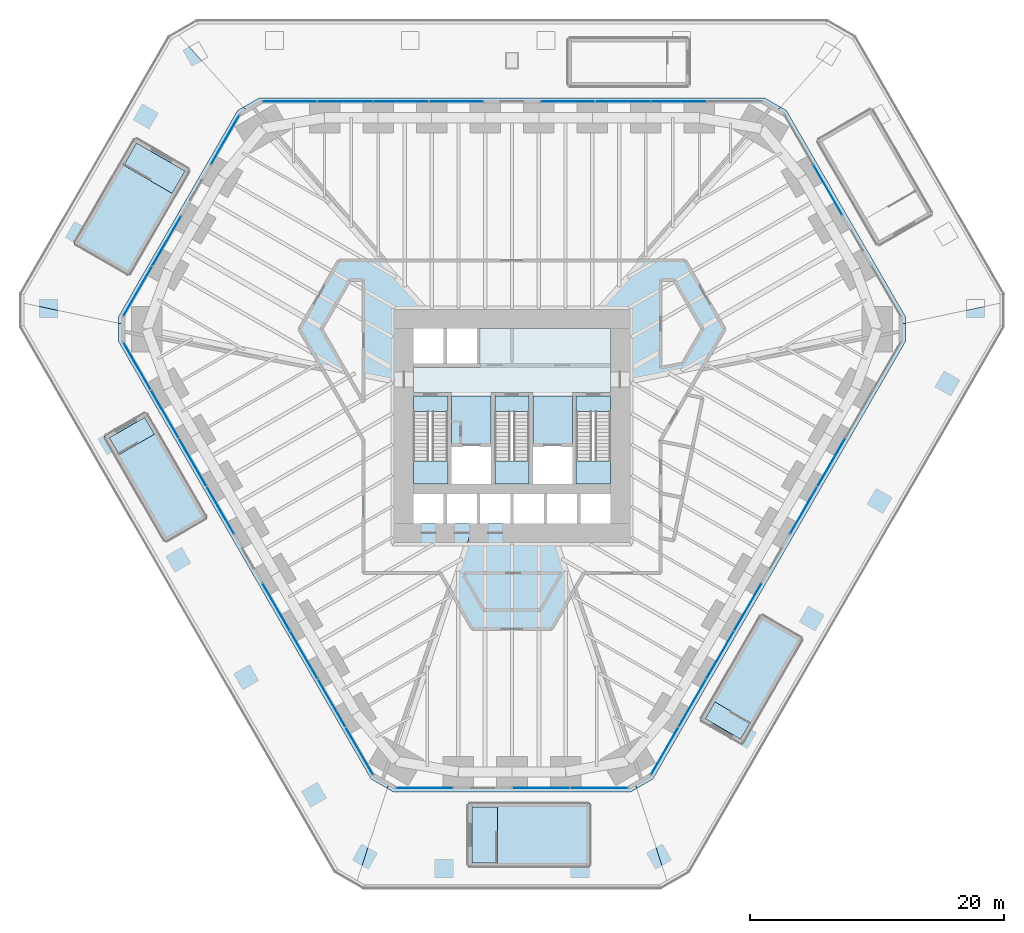
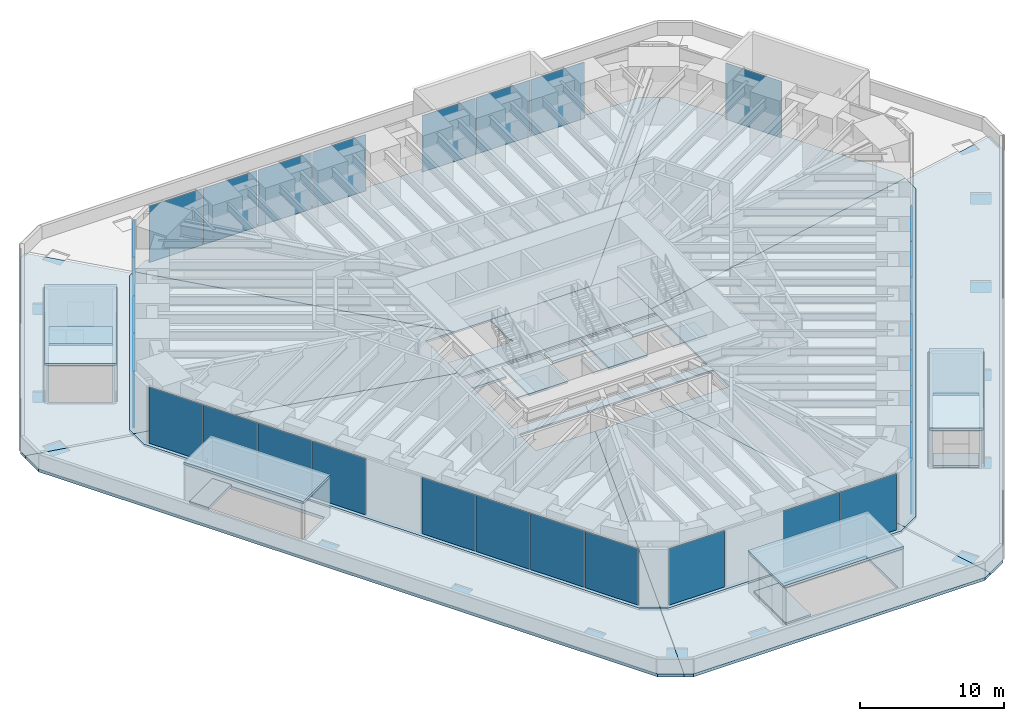
# One storey, part 9 of 20: 28 plates, 27 slabs, 14 elements without a shape of their own.
"""IFC4 building model written with IfcOpenShell, lengths in metres."""

from ifc_helpers import new_model, si_unit, direction, frame, origin, origin_2d, place, context, subcontext, project, spatial, polyline, rectangle, outline, extrude, material, layer, layer_set, type_object, element, aggregate, save


model = new_model("IFC4")

# Units and contexts
model_context = context("Model", 3, precision=1e-05, world=origin(), true_north=direction((0.0, 1.0)))
body_context = subcontext(model_context, "Body", "Model", "MODEL_VIEW")
ifc_project = project(units=[si_unit("LENGTHUNIT", "METRE"), si_unit("AREAUNIT", "SQUARE_METRE"), si_unit("VOLUMEUNIT", "CUBIC_METRE"), si_unit("PLANEANGLEUNIT", "RADIAN"), si_unit("MASSUNIT", "GRAM", prefix="KILO")], contexts=[model_context])

# Site, building, storey
site_placement = place(None, origin())
site = spatial("IfcSite", under=ifc_project, at=site_placement, CompositionType="ELEMENT")
building_placement = place(site_placement, origin())
building = spatial("IfcBuilding", under=site, at=building_placement, Name="Sandreach Pilgrim Tower", CompositionType="ELEMENT")
storey_placement = place(building_placement, frame((0.0, 0.0, 18.0)))
storey = spatial("IfcBuildingStorey", under=building, at=storey_placement, Name="L03", CompositionType="ELEMENT", Elevation=18.0)

# Curtain wall, plates
ifc_material_1 = material(Name="Aluminium framed curtain wall", Category="aluminium")
curtain_wall_type = type_object("IfcCurtainWallType", Name="Podium storefront curtain wall", PredefinedType="NOTDEFINED", material=ifc_material_1)
curtain_wall_1_placement = place(storey_placement, origin())
curtain_wall_1 = element("IfcCurtainWall", 1, at=curtain_wall_1_placement, inside=storey, type_object=curtain_wall_type, Name="CW-P L03 NA", PredefinedType="NOTDEFINED")
ifc_material_2 = material(Name="Laminated safety insulating glass unit 10.76 laminated + 16 argon + 10.76 laminated", Category="glass")
ifc_layer_1 = layer(ifc_material_2, 0.0380859375)
ifc_layer_set_1 = layer_set([ifc_layer_1], Name="CW-P panel")
plate_type = type_object("IfcPlateType", Name="CW-P panel", PredefinedType="CURTAIN_PANEL", material=ifc_layer_set_1)
plate_1_placement = place(storey_placement, frame((-17.46875, 23.94873046875, 0.0), z_axis=(0.0, 0.0, 1.0), x_axis=(1.0, 0.0, 0.0)))
plate_1 = element("IfcPlate", 2, at=plate_1_placement, type_object=plate_type, Name="CW-P panel 1", PredefinedType="CURTAIN_PANEL", context=body_context, shape_type="SweptSolid", body=[
    extrude(rectangle(XDim=4.2666015625, YDim=0.0380859375, at=origin_2d()), origin(), (0.0, 0.0, 1.0), 4.77001953125),
])
plate_2_placement = place(storey_placement, frame((-13.11474609375, 23.94873046875, 0.0), z_axis=(0.0, 0.0, 1.0), x_axis=(1.0, 0.0, 0.0)))
plate_2 = element("IfcPlate", 3, at=plate_2_placement, type_object=plate_type, Name="CW-P panel 2", PredefinedType="CURTAIN_PANEL", context=body_context, shape_type="SweptSolid", body=[
    extrude(rectangle(XDim=4.301513671875, YDim=0.0380859375, at=origin_2d()), origin(), (0.0, 0.0, 1.0), 4.77001953125),
])
plate_3_placement = place(storey_placement, frame((-8.7431640625, 23.94873046875, 0.0), z_axis=(0.0, 0.0, 1.0), x_axis=(1.0, 0.0, 0.0)))
plate_3 = element("IfcPlate", 4, at=plate_3_placement, type_object=plate_type, Name="CW-P panel 3", PredefinedType="CURTAIN_PANEL", context=body_context, shape_type="SweptSolid", body=[
    extrude(rectangle(XDim=4.301513671875, YDim=0.0380859375, at=origin_2d()), origin(), (0.0, 0.0, 1.0), 4.77001953125),
])
plate_4_placement = place(storey_placement, frame((-4.38916015625, 23.94873046875, 0.0), z_axis=(0.0, 0.0, 1.0), x_axis=(1.0, 0.0, 0.0)))
plate_4 = element("IfcPlate", 5, at=plate_4_placement, type_object=plate_type, Name="CW-P panel 4", PredefinedType="CURTAIN_PANEL", context=body_context, shape_type="SweptSolid", body=[
    extrude(rectangle(XDim=4.2666015625, YDim=0.0380859375, at=origin_2d()), origin(), (0.0, 0.0, 1.0), 4.77001953125),
])
aggregate(curtain_wall_1, [plate_1, plate_2, plate_3, plate_4])

curtain_wall_2_placement = place(storey_placement, origin())
curtain_wall_2 = element("IfcCurtainWall", 6, at=curtain_wall_2_placement, inside=storey, type_object=curtain_wall_type, Name="CW-P L03 NB", PredefinedType="NOTDEFINED")
plate_5_placement = place(storey_placement, frame((4.38916015625, 23.94873046875, 0.0), z_axis=(0.0, 0.0, 1.0), x_axis=(1.0, 0.0, 0.0)))
plate_5 = element("IfcPlate", 7, at=plate_5_placement, type_object=plate_type, Name="CW-P panel 1", PredefinedType="CURTAIN_PANEL", context=body_context, shape_type="SweptSolid", body=[
    extrude(rectangle(XDim=4.2666015625, YDim=0.0380859375, at=origin_2d()), origin(), (0.0, 0.0, 1.0), 4.77001953125),
])
plate_6_placement = place(storey_placement, frame((8.7431640625, 23.94873046875, 0.0), z_axis=(0.0, 0.0, 1.0), x_axis=(1.0, 0.0, 0.0)))
plate_6 = element("IfcPlate", 8, at=plate_6_placement, type_object=plate_type, Name="CW-P panel 2", PredefinedType="CURTAIN_PANEL", context=body_context, shape_type="SweptSolid", body=[
    extrude(rectangle(XDim=4.301513671875, YDim=0.0380859375, at=origin_2d()), origin(), (0.0, 0.0, 1.0), 4.77001953125),
])
plate_7_placement = place(storey_placement, frame((13.11474609375, 23.94873046875, 0.0), z_axis=(0.0, 0.0, 1.0), x_axis=(1.0, 0.0, 0.0)))
plate_7 = element("IfcPlate", 9, at=plate_7_placement, type_object=plate_type, Name="CW-P panel 3", PredefinedType="CURTAIN_PANEL", context=body_context, shape_type="SweptSolid", body=[
    extrude(rectangle(XDim=4.301513671875, YDim=0.0380859375, at=origin_2d()), origin(), (0.0, 0.0, 1.0), 4.77001953125),
])
aggregate(curtain_wall_2, [plate_5, plate_6, plate_7])

# Curtain wall, plate
curtain_wall_3_placement = place(storey_placement, origin())
curtain_wall_3 = element("IfcCurtainWall", 10, at=curtain_wall_3_placement, inside=storey, type_object=curtain_wall_type, Name="CW-P L03 NEA", PredefinedType="NOTDEFINED")
plate_8_placement = place(storey_placement, frame((24.8349609375, 17.00634765625, 0.0), z_axis=(0.0, 0.0, 1.0), x_axis=(0.5, -0.866025403784, 0.0)))
plate_8 = element("IfcPlate", 11, at=plate_8_placement, type_object=plate_type, Name="CW-P panel 2", PredefinedType="CURTAIN_PANEL", context=body_context, shape_type="SweptSolid", body=[
    extrude(rectangle(XDim=4.48095703125, YDim=0.0380859375, at=origin_2d()), origin(), (0.0, 0.0, 1.0), 4.77001953125),
])
aggregate(curtain_wall_3, [plate_8])

# Curtain wall, plates
curtain_wall_4_placement = place(storey_placement, origin())
curtain_wall_4 = element("IfcCurtainWall", 12, at=curtain_wall_4_placement, inside=storey, type_object=curtain_wall_type, Name="CW-P L03 SEA", PredefinedType="NOTDEFINED")
plate_9_placement = place(storey_placement, frame((25.11181640625, -4.402587890625, 0.0), z_axis=(0.0, 0.0, 1.0), x_axis=(-0.5, -0.866025403784, 0.0)))
plate_9 = element("IfcPlate", 13, at=plate_9_placement, type_object=plate_type, Name="CW-P panel 3", PredefinedType="CURTAIN_PANEL", context=body_context, shape_type="SweptSolid", body=[
    extrude(rectangle(XDim=4.301513671875, YDim=0.0380859375, at=origin_2d()), origin(), (0.0, 0.0, 1.0), 4.77001953125),
])
plate_10_placement = place(storey_placement, frame((22.934814453125, -8.17333984375, 0.0), z_axis=(0.0, 0.0, 1.0), x_axis=(-0.5, -0.866025403784, 0.0)))
plate_10 = element("IfcPlate", 14, at=plate_10_placement, type_object=plate_type, Name="CW-P panel 4", PredefinedType="CURTAIN_PANEL", context=body_context, shape_type="SweptSolid", body=[
    extrude(rectangle(XDim=4.2666015625, YDim=0.0380859375, at=origin_2d()), origin(), (0.0, 0.0, 1.0), 4.77001953125),
])
aggregate(curtain_wall_4, [plate_9, plate_10])

curtain_wall_5_placement = place(storey_placement, origin())
curtain_wall_5 = element("IfcCurtainWall", 15, at=curtain_wall_5_placement, inside=storey, type_object=curtain_wall_type, Name="CW-P L03 SEB", PredefinedType="NOTDEFINED")
plate_11_placement = place(storey_placement, frame((18.545654296875, -15.775390625, 0.0), z_axis=(0.0, 0.0, 1.0), x_axis=(-0.5, -0.866025403784, 0.0)))
plate_11 = element("IfcPlate", 16, at=plate_11_placement, type_object=plate_type, Name="CW-P panel 1", PredefinedType="CURTAIN_PANEL", context=body_context, shape_type="SweptSolid", body=[
    extrude(rectangle(XDim=4.2666015625, YDim=0.0380859375, at=origin_2d()), origin(), (0.0, 0.0, 1.0), 4.77001953125),
])
plate_12_placement = place(storey_placement, frame((16.36865234375, -19.546142578125, 0.0), z_axis=(0.0, 0.0, 1.0), x_axis=(-0.5, -0.866025403784, 0.0)))
plate_12 = element("IfcPlate", 17, at=plate_12_placement, type_object=plate_type, Name="CW-P panel 2", PredefinedType="CURTAIN_PANEL", context=body_context, shape_type="SweptSolid", body=[
    extrude(rectangle(XDim=4.301513671875, YDim=0.0380859375, at=origin_2d()), origin(), (0.0, 0.0, 1.0), 4.77001953125),
])
plate_13_placement = place(storey_placement, frame((14.182861328125, -23.33203125, 0.0), z_axis=(0.0, 0.0, 1.0), x_axis=(-0.5, -0.866025403784, 0.0)))
plate_13 = element("IfcPlate", 18, at=plate_13_placement, type_object=plate_type, Name="CW-P panel 3", PredefinedType="CURTAIN_PANEL", context=body_context, shape_type="SweptSolid", body=[
    extrude(rectangle(XDim=4.301513671875, YDim=0.0380859375, at=origin_2d()), origin(), (0.0, 0.0, 1.0), 4.77001953125),
])
plate_14_placement = place(storey_placement, frame((12.005859375, -27.102783203125, 0.0), z_axis=(0.0, 0.0, 1.0), x_axis=(-0.5, -0.866025403784, 0.0)))
plate_14 = element("IfcPlate", 19, at=plate_14_placement, type_object=plate_type, Name="CW-P panel 4", PredefinedType="CURTAIN_PANEL", context=body_context, shape_type="SweptSolid", body=[
    extrude(rectangle(XDim=4.2666015625, YDim=0.0380859375, at=origin_2d()), origin(), (0.0, 0.0, 1.0), 4.77001953125),
])
aggregate(curtain_wall_5, [plate_11, plate_12, plate_13, plate_14])

curtain_wall_6_placement = place(storey_placement, origin())
curtain_wall_6 = element("IfcCurtainWall", 20, at=curtain_wall_6_placement, inside=storey, type_object=curtain_wall_type, Name="CW-P L03 SA", PredefinedType="NOTDEFINED")
plate_15_placement = place(storey_placement, frame((6.861572265625, -30.010986328125, 0.0), z_axis=(0.0, 0.0, 1.0), x_axis=(-1.0, 0.0, 0.0)))
plate_15 = element("IfcPlate", 21, at=plate_15_placement, type_object=plate_type, Name="CW-P panel 1", PredefinedType="CURTAIN_PANEL", context=body_context, shape_type="SweptSolid", body=[
    extrude(rectangle(XDim=4.48095703125, YDim=0.0380859375, at=origin_2d()), origin(), (0.0, 0.0, 1.0), 4.77001953125),
])
plate_16_placement = place(storey_placement, frame((2.310546875, -30.010986328125, 0.0), z_axis=(0.0, 0.0, 1.0), x_axis=(-1.0, 0.0, 0.0)))
plate_16 = element("IfcPlate", 22, at=plate_16_placement, type_object=plate_type, Name="CW-P panel 2", PredefinedType="CURTAIN_PANEL", context=body_context, shape_type="SweptSolid", body=[
    extrude(rectangle(XDim=4.48095703125, YDim=0.0380859375, at=origin_2d()), origin(), (0.0, 0.0, 1.0), 4.77001953125),
])
aggregate(curtain_wall_6, [plate_15, plate_16])

# Curtain wall, plate
curtain_wall_7_placement = place(storey_placement, origin())
curtain_wall_7 = element("IfcCurtainWall", 23, at=curtain_wall_7_placement, inside=storey, type_object=curtain_wall_type, Name="CW-P L03 SB", PredefinedType="NOTDEFINED")
plate_17_placement = place(storey_placement, frame((-6.879150390625, -30.010986328125, 0.0), z_axis=(0.0, 0.0, 1.0), x_axis=(-1.0, 0.0, 0.0)))
plate_17 = element("IfcPlate", 24, at=plate_17_placement, type_object=plate_type, Name="CW-P panel 1", PredefinedType="CURTAIN_PANEL", context=body_context, shape_type="SweptSolid", body=[
    extrude(rectangle(XDim=4.446044921875, YDim=0.0380859375, at=origin_2d()), origin(), (0.0, 0.0, 1.0), 4.77001953125),
])
aggregate(curtain_wall_7, [plate_17])

# Curtain wall, plates
curtain_wall_8_placement = place(storey_placement, origin())
curtain_wall_8 = element("IfcCurtainWall", 25, at=curtain_wall_8_placement, inside=storey, type_object=curtain_wall_type, Name="CW-P L03 SWA", PredefinedType="NOTDEFINED")
plate_18_placement = place(storey_placement, frame((-12.005859375, -27.102783203125, 0.0), z_axis=(0.0, 0.0, 1.0), x_axis=(-0.5, 0.866025403784, 0.0)))
plate_18 = element("IfcPlate", 26, at=plate_18_placement, type_object=plate_type, Name="CW-P panel 1", PredefinedType="CURTAIN_PANEL", context=body_context, shape_type="SweptSolid", body=[
    extrude(rectangle(XDim=4.2666015625, YDim=0.0380859375, at=origin_2d()), origin(), (0.0, 0.0, 1.0), 4.77001953125),
])
plate_19_placement = place(storey_placement, frame((-14.182861328125, -23.33203125, 0.0), z_axis=(0.0, 0.0, 1.0), x_axis=(-0.5, 0.866025403784, 0.0)))
plate_19 = element("IfcPlate", 27, at=plate_19_placement, type_object=plate_type, Name="CW-P panel 2", PredefinedType="CURTAIN_PANEL", context=body_context, shape_type="SweptSolid", body=[
    extrude(rectangle(XDim=4.301513671875, YDim=0.0380859375, at=origin_2d()), origin(), (0.0, 0.0, 1.0), 4.77001953125),
])
plate_20_placement = place(storey_placement, frame((-16.36865234375, -19.546142578125, 0.0), z_axis=(0.0, 0.0, 1.0), x_axis=(-0.5, 0.866025403784, 0.0)))
plate_20 = element("IfcPlate", 28, at=plate_20_placement, type_object=plate_type, Name="CW-P panel 3", PredefinedType="CURTAIN_PANEL", context=body_context, shape_type="SweptSolid", body=[
    extrude(rectangle(XDim=4.301513671875, YDim=0.0380859375, at=origin_2d()), origin(), (0.0, 0.0, 1.0), 4.77001953125),
])
plate_21_placement = place(storey_placement, frame((-18.545654296875, -15.775390625, 0.0), z_axis=(0.0, 0.0, 1.0), x_axis=(-0.5, 0.866025403784, 0.0)))
plate_21 = element("IfcPlate", 29, at=plate_21_placement, type_object=plate_type, Name="CW-P panel 4", PredefinedType="CURTAIN_PANEL", context=body_context, shape_type="SweptSolid", body=[
    extrude(rectangle(XDim=4.2666015625, YDim=0.0380859375, at=origin_2d()), origin(), (0.0, 0.0, 1.0), 4.77001953125),
])
aggregate(curtain_wall_8, [plate_18, plate_19, plate_20, plate_21])

curtain_wall_9_placement = place(storey_placement, origin())
curtain_wall_9 = element("IfcCurtainWall", 30, at=curtain_wall_9_placement, inside=storey, type_object=curtain_wall_type, Name="CW-P L03 SWB", PredefinedType="NOTDEFINED")
plate_22_placement = place(storey_placement, frame((-22.934814453125, -8.17333984375, 0.0), z_axis=(0.0, 0.0, 1.0), x_axis=(-0.5, 0.866025403784, 0.0)))
plate_22 = element("IfcPlate", 31, at=plate_22_placement, type_object=plate_type, Name="CW-P panel 1", PredefinedType="CURTAIN_PANEL", context=body_context, shape_type="SweptSolid", body=[
    extrude(rectangle(XDim=4.2666015625, YDim=0.0380859375, at=origin_2d()), origin(), (0.0, 0.0, 1.0), 4.77001953125),
])
plate_23_placement = place(storey_placement, frame((-25.11181640625, -4.402587890625, 0.0), z_axis=(0.0, 0.0, 1.0), x_axis=(-0.5, 0.866025403784, 0.0)))
plate_23 = element("IfcPlate", 32, at=plate_23_placement, type_object=plate_type, Name="CW-P panel 2", PredefinedType="CURTAIN_PANEL", context=body_context, shape_type="SweptSolid", body=[
    extrude(rectangle(XDim=4.301513671875, YDim=0.0380859375, at=origin_2d()), origin(), (0.0, 0.0, 1.0), 4.77001953125),
])
plate_24_placement = place(storey_placement, frame((-27.297607421875, -0.61669921875, 0.0), z_axis=(0.0, 0.0, 1.0), x_axis=(-0.5, 0.866025403784, 0.0)))
plate_24 = element("IfcPlate", 33, at=plate_24_placement, type_object=plate_type, Name="CW-P panel 3", PredefinedType="CURTAIN_PANEL", context=body_context, shape_type="SweptSolid", body=[
    extrude(rectangle(XDim=4.301513671875, YDim=0.0380859375, at=origin_2d()), origin(), (0.0, 0.0, 1.0), 4.77001953125),
])
plate_25_placement = place(storey_placement, frame((-29.474609375, 3.154052734375, 0.0), z_axis=(0.0, 0.0, 1.0), x_axis=(-0.5, 0.866025403784, 0.0)))
plate_25 = element("IfcPlate", 34, at=plate_25_placement, type_object=plate_type, Name="CW-P panel 4", PredefinedType="CURTAIN_PANEL", context=body_context, shape_type="SweptSolid", body=[
    extrude(rectangle(XDim=4.2666015625, YDim=0.0380859375, at=origin_2d()), origin(), (0.0, 0.0, 1.0), 4.77001953125),
])
aggregate(curtain_wall_9, [plate_22, plate_23, plate_24, plate_25])

curtain_wall_10_placement = place(storey_placement, origin())
curtain_wall_10 = element("IfcCurtainWall", 35, at=curtain_wall_10_placement, inside=storey, type_object=curtain_wall_type, Name="CW-P L03 NWA", PredefinedType="NOTDEFINED")
plate_26_placement = place(storey_placement, frame((-29.4208984375, 9.063232421875, 0.0), z_axis=(0.0, 0.0, 1.0), x_axis=(0.5, 0.866025403784, 0.0)))
plate_26 = element("IfcPlate", 36, at=plate_26_placement, type_object=plate_type, Name="CW-P panel 1", PredefinedType="CURTAIN_PANEL", context=body_context, shape_type="SweptSolid", body=[
    extrude(rectangle(XDim=4.48095703125, YDim=0.0380859375, at=origin_2d()), origin(), (0.0, 0.0, 1.0), 4.77001953125),
])
plate_27_placement = place(storey_placement, frame((-27.1455078125, 13.00439453125, 0.0), z_axis=(0.0, 0.0, 1.0), x_axis=(0.5, 0.866025403784, 0.0)))
plate_27 = element("IfcPlate", 37, at=plate_27_placement, type_object=plate_type, Name="CW-P panel 2", PredefinedType="CURTAIN_PANEL", context=body_context, shape_type="SweptSolid", body=[
    extrude(rectangle(XDim=4.48095703125, YDim=0.0380859375, at=origin_2d()), origin(), (0.0, 0.0, 1.0), 4.77001953125),
])
aggregate(curtain_wall_10, [plate_26, plate_27])

# Curtain wall, plate
curtain_wall_11_placement = place(storey_placement, origin())
curtain_wall_11 = element("IfcCurtainWall", 38, at=curtain_wall_11_placement, inside=storey, type_object=curtain_wall_type, Name="CW-P L03 NWB", PredefinedType="NOTDEFINED")
plate_28_placement = place(storey_placement, frame((-22.550537109375, 20.962890625, 0.0), z_axis=(0.0, 0.0, 1.0), x_axis=(0.5, 0.866025403784, 0.0)))
plate_28 = element("IfcPlate", 39, at=plate_28_placement, type_object=plate_type, Name="CW-P panel 1", PredefinedType="CURTAIN_PANEL", context=body_context, shape_type="SweptSolid", body=[
    extrude(rectangle(XDim=4.446044921875, YDim=0.0380859375, at=origin_2d()), origin(), (0.0, 0.0, 1.0), 4.77001953125),
])
aggregate(curtain_wall_11, [plate_28])

# Slabs
ifc_material_3 = material(Name="Concrete 8000 psi", Category="concrete")
ifc_layer_2 = layer(ifc_material_3, 0.159912109375)
ifc_layer_set_2 = layer_set([ifc_layer_2], Name="Composite floor slab 160")
slab_type_1 = type_object("IfcSlabType", Name="Composite floor slab 160", PredefinedType="FLOOR", material=ifc_layer_set_2)
slab_1_placement = place(storey_placement, frame((0.0, 0.0, -0.159912109375)))
element("IfcSlab", 40, at=slab_1_placement, inside=storey, type_object=slab_type_1, Name="Floor slab L03 N sector", PredefinedType="FLOOR", context=body_context, shape_type="SweptSolid", body=[
    extrude(outline(polyline([(-19.84521484375, 24.248779296875), (19.84521484375, 24.248779296875), (21.115478515625, 23.515380859375), (5.477294921875, 6.10009765625), (-5.477294921875, 6.10009765625), (-21.115478515625, 23.515380859375), (-19.84521484375, 24.248779296875)])), origin(), (0.0, 0.0, 1.0), 0.159912109375),
])
slab_2_placement = place(storey_placement, frame((0.0, 0.0, -0.159912109375)))
element("IfcSlab", 41, at=slab_2_placement, inside=storey, type_object=slab_type_1, Name="Floor slab L03 NE sector", PredefinedType="FLOOR", context=body_context, shape_type="SweptSolid", body=[
    extrude(outline(polyline([(21.577392578125, 23.248779296875), (30.922607421875, 7.062255859375), (30.922607421875, 6.52880859375), (7.75, 1.63623046875), (7.75, 6.10009765625), (5.477294921875, 6.10009765625), (21.115478515625, 23.515380859375), (21.577392578125, 23.248779296875)])), origin(), (0.0, 0.0, 1.0), 0.159912109375),
])
slab_3_placement = place(storey_placement, frame((0.0, 0.0, -0.159912109375)))
element("IfcSlab", 42, at=slab_3_placement, inside=storey, type_object=slab_type_1, Name="Floor slab L03 SE sector", PredefinedType="FLOOR", context=body_context, shape_type="SweptSolid", body=[
    extrude(outline(polyline([(11.077392578125, -29.310791015625), (9.80712890625, -30.044189453125), (3.003173828125, -9.199951171875), (7.75, -9.199951171875), (7.75, -6.89990234375), (-2.252197265625, -6.89990234375), (-1.9912109375, -6.10009765625), (7.75, -6.10009765625), (7.75, 1.63623046875), (30.922607421875, 6.52880859375), (30.922607421875, 5.062255859375), (11.077392578125, -29.310791015625)])), origin(), (0.0, 0.0, 1.0), 0.159912109375),
])
slab_4_placement = place(storey_placement, frame((0.0, 0.0, -0.159912109375)))
element("IfcSlab", 43, at=slab_4_placement, inside=storey, type_object=slab_type_1, Name="Floor slab L03 S sector", PredefinedType="FLOOR", context=body_context, shape_type="SweptSolid", body=[
    extrude(outline(polyline([(9.34521484375, -30.310791015625), (-9.34521484375, -30.310791015625), (-9.80712890625, -30.044189453125), (-3.003173828125, -9.199951171875), (3.003173828125, -9.199951171875), (9.80712890625, -30.044189453125), (9.34521484375, -30.310791015625)])), origin(), (0.0, 0.0, 1.0), 0.159912109375),
])
slab_5_placement = place(storey_placement, frame((0.0, 0.0, -0.159912109375)))
element("IfcSlab", 44, at=slab_5_placement, inside=storey, type_object=slab_type_1, Name="Floor slab L03 SW sector", PredefinedType="FLOOR", context=body_context, shape_type="SweptSolid", body=[
    extrude(outline(polyline([(-11.077392578125, -29.310791015625), (-30.922607421875, 5.062255859375), (-30.922607421875, 6.52880859375), (-7.75, 1.63623046875), (-7.75, -6.10009765625), (-1.9912109375, -6.10009765625), (-2.252197265625, -6.89990234375), (-7.75, -6.89990234375), (-7.75, -9.199951171875), (-3.003173828125, -9.199951171875), (-9.80712890625, -30.044189453125), (-11.077392578125, -29.310791015625)])), origin(), (0.0, 0.0, 1.0), 0.159912109375),
])
slab_6_placement = place(storey_placement, frame((0.0, 0.0, -0.159912109375)))
element("IfcSlab", 45, at=slab_6_placement, inside=storey, type_object=slab_type_1, Name="Floor slab L03 NW sector", PredefinedType="FLOOR", context=body_context, shape_type="SweptSolid", body=[
    extrude(outline(polyline([(-30.922607421875, 7.062255859375), (-21.577392578125, 23.248779296875), (-21.115478515625, 23.515380859375), (-5.477294921875, 6.10009765625), (-7.75, 6.10009765625), (-7.75, 1.63623046875), (-30.922607421875, 6.52880859375), (-30.922607421875, 7.062255859375)])), origin(), (0.0, 0.0, 1.0), 0.159912109375),
])
slab_7_placement = place(storey_placement, frame((0.0, 0.0, -0.159912109375)))
element("IfcSlab", 46, at=slab_7_placement, inside=storey, type_object=slab_type_1, Name="Core floor slab and stores L03", PredefinedType="FLOOR", context=body_context, shape_type="SweptSolid", body=[
    extrude(outline(polyline([(-7.75, 3.050048828125), (-5.375, 3.050048828125), (-5.125, 3.050048828125), (-2.5, 3.050048828125), (-2.5, 3.35009765625), (-2.60009765625, 3.35009765625), (-2.60009765625, 6.10009765625), (7.75, 6.10009765625), (7.75, 1.10009765625), (5.050048828125, 1.10009765625), (4.75, 1.10009765625), (1.64990234375, 1.10009765625), (1.35009765625, 1.10009765625), (-1.35009765625, 1.10009765625), (-1.64990234375, 1.10009765625), (-4.75, 1.10009765625), (-5.050048828125, 1.10009765625), (-7.75, 1.10009765625), (-7.75, 3.050048828125)])), origin(), (0.0, 0.0, 1.0), 0.159912109375),
])
slab_8_placement = place(storey_placement, frame((0.0, 0.0, -0.159912109375)))
element("IfcSlab", 47, at=slab_8_placement, inside=storey, type_object=slab_type_1, Name="Core floor slab and stores L03 2", PredefinedType="FLOOR", context=body_context, shape_type="SweptSolid", body=[
    extrude(outline(polyline([(-1.64990234375, -3.050048828125), (-4.75, -3.050048828125), (-4.75, 0.800048828125), (-1.64990234375, 0.800048828125), (-1.64990234375, -3.050048828125)])), origin(), (0.0, 0.0, 1.0), 0.159912109375),
])
slab_9_placement = place(storey_placement, frame((0.0, 0.0, -0.159912109375)))
element("IfcSlab", 48, at=slab_9_placement, inside=storey, type_object=slab_type_1, Name="Core floor slab and stores L03 3", PredefinedType="FLOOR", context=body_context, shape_type="SweptSolid", body=[
    extrude(outline(polyline([(4.75, -3.050048828125), (1.64990234375, -3.050048828125), (1.64990234375, 0.800048828125), (4.75, 0.800048828125), (4.75, -3.050048828125)])), origin(), (0.0, 0.0, 1.0), 0.159912109375),
])

# Stair, slabs
ifc_material_4 = material(Name="Concrete 8000 psi", Category="concrete")
stair_type = type_object("IfcStairType", Name="Core exit stair", PredefinedType="HALF_TURN_STAIR", material=ifc_material_4)
stair_1_placement = place(storey_placement, origin())
stair_1 = element("IfcStair", 49, at=stair_1_placement, inside=storey, type_object=stair_type, Name="Exit stair ST1 L03", PredefinedType="HALF_TURN_STAIR")
ifc_material_5 = material(Name="Concrete 8000 psi", Category="concrete")
ifc_layer_3 = layer(ifc_material_5, 0.199951171875)
ifc_layer_set_3 = layer_set([ifc_layer_3], Name="Core stair landing 200")
slab_type_2 = type_object("IfcSlabType", Name="Core stair landing 200", PredefinedType="LANDING", material=ifc_layer_set_3)
slab_10_placement = place(storey_placement, frame((0.0, 0.0, -0.199951171875)))
slab_10 = element("IfcSlab", 50, at=slab_10_placement, type_object=slab_type_2, Name="ST1 landing 1", PredefinedType="LANDING", context=body_context, shape_type="SweptSolid", body=[
    extrude(outline(polyline([(-7.75, -0.425048828125), (-5.050048828125, -0.425048828125), (-5.050048828125, 0.800048828125), (-7.75, 0.800048828125), (-7.75, -0.425048828125)])), origin(), (0.0, 0.0, 1.0), 0.199951171875),
])
slab_11_placement = place(storey_placement, frame((0.0, 0.0, 2.300048828125)))
slab_11 = element("IfcSlab", 51, at=slab_11_placement, type_object=slab_type_2, Name="ST1 landing 2", PredefinedType="LANDING", context=body_context, shape_type="SweptSolid", body=[
    extrude(outline(polyline([(-7.75, -6.10009765625), (-5.050048828125, -6.10009765625), (-5.050048828125, -4.294921875), (-7.75, -4.294921875), (-7.75, -6.10009765625)])), origin(), (0.0, 0.0, 1.0), 0.199951171875),
])
aggregate(stair_1, [slab_10, slab_11])

stair_2_placement = place(storey_placement, origin())
stair_2 = element("IfcStair", 52, at=stair_2_placement, inside=storey, type_object=stair_type, Name="Exit stair ST3 L03", PredefinedType="HALF_TURN_STAIR")
slab_12_placement = place(storey_placement, frame((0.0, 0.0, -0.199951171875)))
slab_12 = element("IfcSlab", 53, at=slab_12_placement, type_object=slab_type_2, Name="ST3 landing 1", PredefinedType="LANDING", context=body_context, shape_type="SweptSolid", body=[
    extrude(outline(polyline([(-1.35009765625, -0.425048828125), (1.35009765625, -0.425048828125), (1.35009765625, 0.800048828125), (-1.35009765625, 0.800048828125), (-1.35009765625, -0.425048828125)])), origin(), (0.0, 0.0, 1.0), 0.199951171875),
])
slab_13_placement = place(storey_placement, frame((0.0, 0.0, 2.300048828125)))
slab_13 = element("IfcSlab", 54, at=slab_13_placement, type_object=slab_type_2, Name="ST3 landing 2", PredefinedType="LANDING", context=body_context, shape_type="SweptSolid", body=[
    extrude(outline(polyline([(-1.35009765625, -6.10009765625), (1.35009765625, -6.10009765625), (1.35009765625, -4.294921875), (-1.35009765625, -4.294921875), (-1.35009765625, -6.10009765625)])), origin(), (0.0, 0.0, 1.0), 0.199951171875),
])
aggregate(stair_2, [slab_12, slab_13])

stair_3_placement = place(storey_placement, origin())
stair_3 = element("IfcStair", 55, at=stair_3_placement, inside=storey, type_object=stair_type, Name="Exit stair ST2 L03", PredefinedType="HALF_TURN_STAIR")
slab_14_placement = place(storey_placement, frame((0.0, 0.0, -0.199951171875)))
slab_14 = element("IfcSlab", 56, at=slab_14_placement, type_object=slab_type_2, Name="ST2 landing 1", PredefinedType="LANDING", context=body_context, shape_type="SweptSolid", body=[
    extrude(outline(polyline([(5.050048828125, -0.425048828125), (7.75, -0.425048828125), (7.75, 0.800048828125), (5.050048828125, 0.800048828125), (5.050048828125, -0.425048828125)])), origin(), (0.0, 0.0, 1.0), 0.199951171875),
])
slab_15_placement = place(storey_placement, frame((0.0, 0.0, 2.300048828125)))
slab_15 = element("IfcSlab", 57, at=slab_15_placement, type_object=slab_type_2, Name="ST2 landing 2", PredefinedType="LANDING", context=body_context, shape_type="SweptSolid", body=[
    extrude(outline(polyline([(5.050048828125, -6.10009765625), (7.75, -6.10009765625), (7.75, -4.294921875), (5.050048828125, -4.294921875), (5.050048828125, -6.10009765625)])), origin(), (0.0, 0.0, 1.0), 0.199951171875),
])
aggregate(stair_3, [slab_14, slab_15])

# Slabs
ifc_material_6 = material(Name="Concrete 8000 psi", Category="concrete")
ifc_layer_4 = layer(ifc_material_6, 0.25)
ifc_layer_set_4 = layer_set([ifc_layer_4], Name="Podium planted roof slab 250")
slab_type_3 = type_object("IfcSlabType", Name="Podium planted roof slab 250", PredefinedType="ROOF", material=ifc_layer_set_4)
slab_16_placement = place(storey_placement, frame((0.0, 0.0, -0.39990234375)))
element("IfcSlab", 58, at=slab_16_placement, inside=storey, type_object=slab_type_3, Name="Podium planted roof L03 SE sector", PredefinedType="ROOF", context=body_context, shape_type="SweptSolid", body=[
    extrude(outline(polyline([(13.8466796875, -36.638671875), (12.259033203125, -37.55517578125), (9.80712890625, -30.044189453125), (11.077392578125, -29.310791015625), (30.922607421875, 5.062255859375), (30.922607421875, 6.52880859375), (38.6533203125, 8.160888671875), (38.6533203125, 6.32763671875), (13.8466796875, -36.638671875)]), holes=[polyline([(19.699462890625, -16.777099609375), (15.199462890625, -24.5712890625), (17.970703125, -26.17138671875), (22.470703125, -18.377197265625), (19.699462890625, -16.777099609375)])]), origin(), (0.0, 0.0, 1.0), 0.25),
])
slab_17_placement = place(storey_placement, frame((0.0, 0.0, -0.39990234375)))
element("IfcSlab", 59, at=slab_17_placement, inside=storey, type_object=slab_type_3, Name="Podium planted roof L03 S sector", PredefinedType="ROOF", context=body_context, shape_type="SweptSolid", body=[
    extrude(outline(polyline([(-11.681640625, -37.888671875), (-12.259033203125, -37.55517578125), (-9.80712890625, -30.044189453125), (-9.34521484375, -30.310791015625), (9.34521484375, -30.310791015625), (9.80712890625, -30.044189453125), (12.259033203125, -37.55517578125), (11.681640625, -37.888671875), (-11.681640625, -37.888671875)]), holes=[polyline([(5.8388671875, -31.510986328125), (-3.1611328125, -31.510986328125), (-3.1611328125, -35.910888671875), (5.8388671875, -35.910888671875), (5.8388671875, -31.510986328125)])]), origin(), (0.0, 0.0, 1.0), 0.25),
])
slab_18_placement = place(storey_placement, frame((0.0, 0.0, -0.39990234375)))
element("IfcSlab", 60, at=slab_18_placement, inside=storey, type_object=slab_type_3, Name="Podium planted roof L03 SW sector", PredefinedType="ROOF", context=body_context, shape_type="SweptSolid", body=[
    extrude(outline(polyline([(-38.6533203125, 6.32763671875), (-38.6533203125, 8.160888671875), (-30.922607421875, 6.52880859375), (-30.922607421875, 5.062255859375), (-11.077392578125, -29.310791015625), (-9.80712890625, -30.044189453125), (-12.259033203125, -37.55517578125), (-13.8466796875, -36.638671875), (-38.6533203125, 6.32763671875)]), holes=[polyline([(-24.379150390625, -8.671630859375), (-28.879150390625, -0.877197265625), (-31.650390625, -2.477294921875), (-27.150390625, -10.271484375), (-24.379150390625, -8.671630859375)])]), origin(), (0.0, 0.0, 1.0), 0.25),
])
slab_19_placement = place(storey_placement, frame((0.0, 0.0, -0.39990234375)))
element("IfcSlab", 61, at=slab_19_placement, inside=storey, type_object=slab_type_3, Name="Podium planted roof L03 NW sector", PredefinedType="ROOF", context=body_context, shape_type="SweptSolid", body=[
    extrude(outline(polyline([(-26.9716796875, 29.060791015625), (-26.394287109375, 29.394287109375), (-21.115478515625, 23.515380859375), (-21.577392578125, 23.248779296875), (-30.922607421875, 7.062255859375), (-30.922607421875, 6.52880859375), (-38.6533203125, 8.160888671875), (-38.6533203125, 8.82763671875), (-26.9716796875, 29.060791015625)]), holes=[polyline([(-30.208740234375, 10.698974609375), (-25.708740234375, 18.4931640625), (-29.519287109375, 20.693115234375), (-34.019287109375, 12.89892578125), (-30.208740234375, 10.698974609375)])]), origin(), (0.0, 0.0, 1.0), 0.25),
])
ifc_material_7 = material(Name="Concrete 8000 psi", Category="concrete")
ifc_layer_5 = layer(ifc_material_7, 0.25)
ifc_layer_set_5 = layer_set([ifc_layer_5], Name="Podium stair landing 250")
slab_type_4 = type_object("IfcSlabType", Name="Podium stair landing 250", PredefinedType="LANDING", material=ifc_layer_set_5)
slab_20_placement = place(storey_placement, frame((0.0, 0.0, -0.25)))
element("IfcSlab", 62, at=slab_20_placement, inside=storey, type_object=slab_type_4, Name="Stair ST5 top landing", PredefinedType="LANDING", context=body_context, shape_type="SweptSolid", body=[
    extrude(outline(polyline([(-3.1611328125, -31.510986328125), (-1.13623046875, -31.510986328125), (-1.13623046875, -35.910888671875), (-3.1611328125, -35.910888671875), (-3.1611328125, -31.510986328125)])), origin(), (0.0, 0.0, 1.0), 0.25),
])
slab_21_placement = place(storey_placement, frame((0.0, 0.0, -0.25)))
element("IfcSlab", 63, at=slab_21_placement, inside=storey, type_object=slab_type_4, Name="Stair ST6 top landing", PredefinedType="LANDING", context=body_context, shape_type="SweptSolid", body=[
    extrude(outline(polyline([(-25.708740234375, 18.4931640625), (-26.72119140625, 16.739501953125), (-30.53173828125, 18.939453125), (-29.51904296875, 20.693115234375), (-25.708740234375, 18.4931640625)])), origin(), (0.0, 0.0, 1.0), 0.25),
])
slab_22_placement = place(storey_placement, frame((0.0, 0.0, -0.25)))
element("IfcSlab", 64, at=slab_22_placement, inside=storey, type_object=slab_type_4, Name="Stair ST8 top landing", PredefinedType="LANDING", context=body_context, shape_type="SweptSolid", body=[
    extrude(outline(polyline([(15.199462890625, -24.5712890625), (15.9619140625, -23.250732421875), (18.733154296875, -24.8505859375), (17.970703125, -26.17138671875), (15.199462890625, -24.5712890625)])), origin(), (0.0, 0.0, 1.0), 0.25),
])
slab_23_placement = place(storey_placement, frame((0.0, 0.0, -0.25)))
element("IfcSlab", 65, at=slab_23_placement, inside=storey, type_object=slab_type_4, Name="Stair ST9 top landing", PredefinedType="LANDING", context=body_context, shape_type="SweptSolid", body=[
    extrude(outline(polyline([(-28.879150390625, -0.87744140625), (-28.11669921875, -2.197998046875), (-30.887939453125, -3.798095703125), (-31.650390625, -2.477294921875), (-28.879150390625, -0.87744140625)])), origin(), (0.0, 0.0, 1.0), 0.25),
])
ifc_material_8 = material(Name="Concrete 8000 psi", Category="concrete")
ifc_layer_6 = layer(ifc_material_8, 0.199951171875)
ifc_layer_set_6 = layer_set([ifc_layer_6], Name="Stair head-house roof 200")
slab_type_5 = type_object("IfcSlabType", Name="Stair head-house roof 200", PredefinedType="ROOF", material=ifc_layer_set_6)
slab_24_placement = place(storey_placement, frame((0.0, 0.0, 3.199951171875)))
element("IfcSlab", 66, at=slab_24_placement, inside=storey, type_object=slab_type_5, Name="Stair ST5 head-house roof", PredefinedType="ROOF", context=body_context, shape_type="SweptSolid", body=[
    extrude(outline(polyline([(-3.461181640625, -31.2109375), (6.138916015625, -31.2109375), (6.138916015625, -36.2109375), (-3.461181640625, -36.2109375), (-3.461181640625, -31.2109375)])), origin(), (0.0, 0.0, 1.0), 0.199951171875),
])
slab_25_placement = place(storey_placement, frame((0.0, 0.0, 3.199951171875)))
element("IfcSlab", 67, at=slab_25_placement, inside=storey, type_object=slab_type_5, Name="Stair ST6 head-house roof", PredefinedType="ROOF", context=body_context, shape_type="SweptSolid", body=[
    extrude(outline(polyline([(-25.298828125, 18.602783203125), (-30.098876953125, 10.2890625), (-34.428955078125, 12.7890625), (-29.62890625, 21.102783203125), (-25.298828125, 18.602783203125)])), origin(), (0.0, 0.0, 1.0), 0.199951171875),
])
slab_26_placement = place(storey_placement, frame((0.0, 0.0, 3.199951171875)))
element("IfcSlab", 68, at=slab_26_placement, inside=storey, type_object=slab_type_5, Name="Stair ST8 head-house roof", PredefinedType="ROOF", context=body_context, shape_type="SweptSolid", body=[
    extrude(outline(polyline([(14.78955078125, -24.68115234375), (19.589599609375, -16.367431640625), (22.88037109375, -18.267333984375), (18.080322265625, -26.581298828125), (14.78955078125, -24.68115234375)])), origin(), (0.0, 0.0, 1.0), 0.199951171875),
])
slab_27_placement = place(storey_placement, frame((0.0, 0.0, 3.199951171875)))
element("IfcSlab", 69, at=slab_27_placement, inside=storey, type_object=slab_type_5, Name="Stair ST9 head-house roof", PredefinedType="ROOF", context=body_context, shape_type="SweptSolid", body=[
    extrude(outline(polyline([(-28.769287109375, -0.467529296875), (-23.96923828125, -8.781494140625), (-27.26025390625, -10.681396484375), (-32.060302734375, -2.367431640625), (-28.769287109375, -0.467529296875)])), origin(), (0.0, 0.0, 1.0), 0.199951171875),
])

save(model, "model.ifc")
